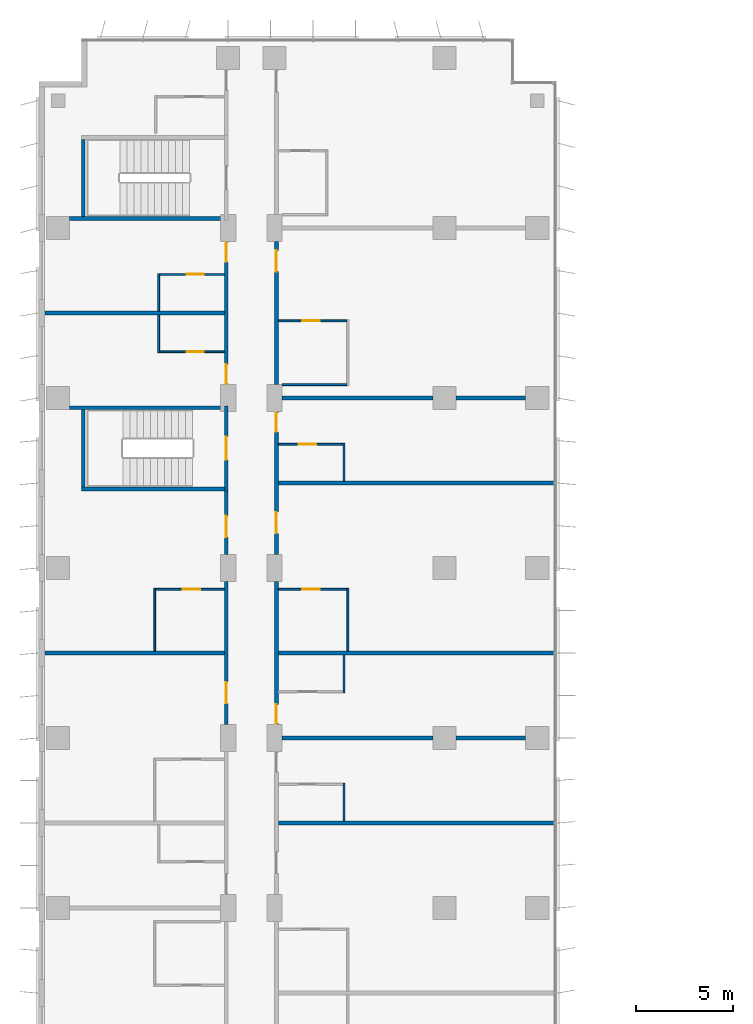
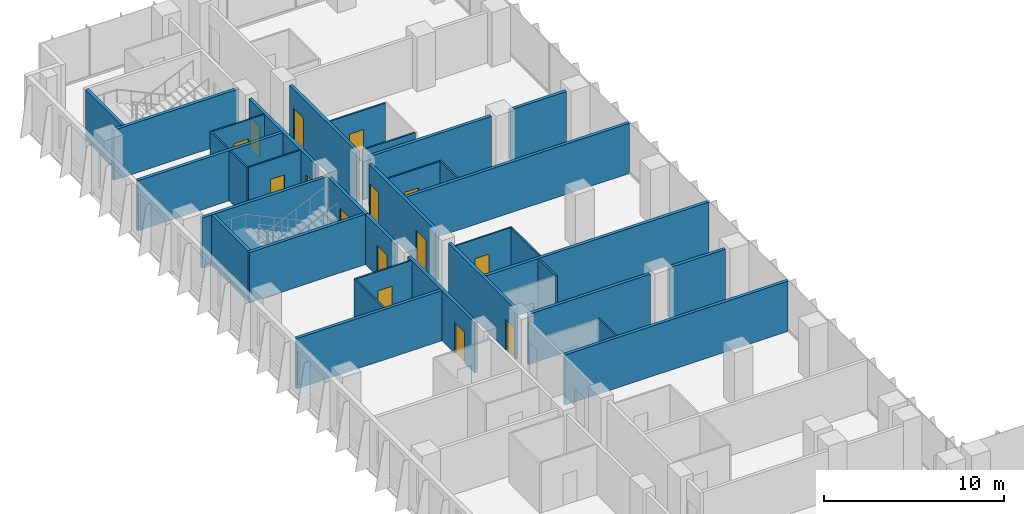
# One storey, part 16 of 22: 35 walls, 15 doors, 15 openings.
"""IFC4 building model written with IfcOpenShell, lengths in metres."""

from ifc_helpers import new_model, si_unit, direction, frame, frame_2d, origin, place, context, subcontext, project, spatial, rectangle, extrude, material, layer, layer_set, type_object, element, fill, save


model = new_model("IFC4")

# Units and contexts
model_context = context("Model", 3, precision=1e-05, world=origin(), true_north=direction((0.0, 1.0)))
body_context = subcontext(model_context, "Body", "Model", "MODEL_VIEW")
ifc_project = project(units=[si_unit("LENGTHUNIT", "METRE"), si_unit("AREAUNIT", "SQUARE_METRE"), si_unit("VOLUMEUNIT", "CUBIC_METRE"), si_unit("PLANEANGLEUNIT", "RADIAN"), si_unit("MASSUNIT", "GRAM", prefix="KILO")], contexts=[model_context])

# Site, building, storey
site_placement = place(None, origin())
site = spatial("IfcSite", under=ifc_project, at=site_placement, CompositionType="ELEMENT")
building_placement = place(site_placement, origin())
building = spatial("IfcBuilding", under=site, at=building_placement, Name="Kemantara Hotel Tower", CompositionType="ELEMENT")
storey_placement = place(building_placement, frame((0.0, 0.0, 111.10009765625)))
storey = spatial("IfcBuildingStorey", under=building, at=storey_placement, Name="L26", CompositionType="ELEMENT", Elevation=111.10009765625)

# Wall, opening, door
ifc_material_1 = material(Name="Gypsum board partition, steel studs and mineral wool, 200 mm", Category="steel")
ifc_layer_1 = layer(ifc_material_1, 0.199951171875)
ifc_layer_set_1 = layer_set([ifc_layer_1], Name="Gypsum board partition, steel studs and mineral wool, 200 mm")
wall_type_1 = type_object("IfcWallType", Name="CORRIDOR WALL 200", PredefinedType="PARTITIONING", material=ifc_layer_set_1)
wall_1_placement = place(storey_placement, frame((9.699951171875, 45.7001953125, 0.0), z_axis=(0.0, 0.0, 1.0), x_axis=(0.0, 1.0, 0.0)))
wall_1 = element("IfcWall", 1, at=wall_1_placement, inside=storey, type_object=wall_type_1, Name="CORRIDOR WALL 200 021", PredefinedType="PARTITIONING", context=body_context, shape_type="SweptSolid", body=[
    extrude(rectangle(XDim=7.399658203125, YDim=0.199951171875, at=frame_2d((3.69970703125, 0.0))), origin(), (0.0, 0.0, 1.0), 3.39990234375),
])
opening_1_placement = place(wall_1_placement, frame((1.099853515625, 0.0, 0.0)))
opening_1 = element("IfcOpeningElement", 2, at=opening_1_placement, cuts=wall_1, Name="Opening F11-027", PredefinedType="OPENING", context=body_context, shape_type="SweptSolid", body=[
    extrude(rectangle(XDim=1.10009765625, YDim=2.10009765625, at=frame_2d((0.550048828125, 1.050048828125))), frame((0.0, 0.10986328125, 0.0), z_axis=(0.0, -1.0, 0.0), x_axis=(1.0, 0.0, 0.0)), (0.0, 0.0, 1.0), 0.219970703125),
])
ifc_material_2 = material(Name="Hardwood veneer door leaf with steel frame", Category="steel")
door_type_1 = type_object("IfcDoorType", Name="SUITE ENTRANCE DOOR 1100 X 2100 FD30S", OperationType="NOTDEFINED", PredefinedType="DOOR", material=ifc_material_2)
door_1_placement = place(opening_1_placement, origin())
door_1 = element("IfcDoor", 3, at=door_1_placement, inside=storey, type_object=door_type_1, Name="SUITE ENTRANCE DOOR F11-027", OperationType="SINGLE_SWING_RIGHT", OverallHeight=2.10009765625, OverallWidth=1.10009765625, PredefinedType="DOOR", context=body_context, shape_type="SweptSolid", body=[
    extrude(rectangle(XDim=1.10009765625, YDim=2.10009765625, at=frame_2d((0.550048828125, 1.050048828125))), frame((0.0, 0.02490234375, 0.0), z_axis=(0.0, -1.0, 0.0), x_axis=(1.0, 0.0, 0.0)), (0.0, 0.0, 1.0), 0.050048828125),
])
fill(opening_1, door_1)

wall_2_placement = place(storey_placement, frame((9.699951171875, 54.5, 0.0), z_axis=(0.0, 0.0, 1.0), x_axis=(0.0, 1.0, 0.0)))
wall_2 = element("IfcWall", 4, at=wall_2_placement, inside=storey, type_object=wall_type_1, Name="CORRIDOR WALL 200 022", PredefinedType="PARTITIONING", context=body_context, shape_type="SweptSolid", body=[
    extrude(rectangle(XDim=3.300048828125, YDim=0.199951171875, at=frame_2d((1.64990234375, 0.0))), origin(), (0.0, 0.0, 1.0), 3.39990234375),
])
opening_2_placement = place(wall_2_placement, frame((0.89990234375, 0.0, 0.0)))
opening_2 = element("IfcOpeningElement", 5, at=opening_2_placement, cuts=wall_2, Name="Opening F11-029", PredefinedType="OPENING", context=body_context, shape_type="SweptSolid", body=[
    extrude(rectangle(XDim=1.10009765625, YDim=2.10009765625, at=frame_2d((0.550048828125, 1.050048828125))), frame((0.0, 0.10986328125, 0.0), z_axis=(0.0, -1.0, 0.0), x_axis=(1.0, 0.0, 0.0)), (0.0, 0.0, 1.0), 0.219970703125),
])
door_2_placement = place(opening_2_placement, origin())
door_2 = element("IfcDoor", 6, at=door_2_placement, inside=storey, type_object=door_type_1, Name="SUITE ENTRANCE DOOR F11-029", OperationType="SINGLE_SWING_RIGHT", OverallHeight=2.10009765625, OverallWidth=1.10009765625, PredefinedType="DOOR", context=body_context, shape_type="SweptSolid", body=[
    extrude(rectangle(XDim=1.10009765625, YDim=2.10009765625, at=frame_2d((0.550048828125, 1.050048828125))), frame((0.0, 0.02490234375, 0.0), z_axis=(0.0, -1.0, 0.0), x_axis=(1.0, 0.0, 0.0)), (0.0, 0.0, 1.0), 0.050048828125),
])
fill(opening_2, door_2)

# Wall, openings, doors
wall_3_placement = place(storey_placement, frame((9.699951171875, 63.300048828125, 0.0), z_axis=(0.0, 0.0, 1.0), x_axis=(0.0, 1.0, 0.0)))
wall_3 = element("IfcWall", 7, at=wall_3_placement, inside=storey, type_object=wall_type_1, Name="CORRIDOR WALL 200 023", PredefinedType="PARTITIONING", context=body_context, shape_type="SweptSolid", body=[
    extrude(rectangle(XDim=7.39990234375, YDim=0.199951171875, at=frame_2d((3.699951171875, 0.0))), origin(), (0.0, 0.0, 1.0), 3.39990234375),
])
opening_3_placement = place(wall_3_placement, frame((0.0498046875, 0.0, 0.0)))
opening_3 = element("IfcOpeningElement", 8, at=opening_3_placement, cuts=wall_3, Name="Opening F11-031", PredefinedType="OPENING", context=body_context, shape_type="SweptSolid", body=[
    extrude(rectangle(XDim=1.0, YDim=2.10009765625, at=frame_2d((0.5, 1.050048828125))), frame((0.0, 0.10986328125, 0.0), z_axis=(0.0, -1.0, 0.0), x_axis=(1.0, 0.0, 0.0)), (0.0, 0.0, 1.0), 0.219970703125),
])
opening_4_placement = place(wall_3_placement, frame((6.349853515625, 0.0, 0.0)))
opening_4 = element("IfcOpeningElement", 9, at=opening_4_placement, cuts=wall_3, Name="Opening F11-033", PredefinedType="OPENING", context=body_context, shape_type="SweptSolid", body=[
    extrude(rectangle(XDim=1.0, YDim=2.10009765625, at=frame_2d((0.5, 1.050048828125))), frame((0.0, 0.10986328125, 0.0), z_axis=(0.0, -1.0, 0.0), x_axis=(1.0, 0.0, 0.0)), (0.0, 0.0, 1.0), 0.219970703125),
])
door_type_2 = type_object("IfcDoorType", Name="GUEST ROOM DOOR 1000 X 2100 FD30S", OperationType="NOTDEFINED", PredefinedType="DOOR", material=ifc_material_2)
door_3_placement = place(opening_3_placement, origin())
door_3 = element("IfcDoor", 10, at=door_3_placement, inside=storey, type_object=door_type_2, Name="GUEST ROOM DOOR F11-031", OperationType="SINGLE_SWING_LEFT", OverallHeight=2.10009765625, OverallWidth=1.0, PredefinedType="DOOR", context=body_context, shape_type="SweptSolid", body=[
    extrude(rectangle(XDim=1.0, YDim=2.10009765625, at=frame_2d((0.5, 1.050048828125))), frame((0.0, 0.02490234375, 0.0), z_axis=(0.0, -1.0, 0.0), x_axis=(1.0, 0.0, 0.0)), (0.0, 0.0, 1.0), 0.050048828125),
])
fill(opening_3, door_3)
door_4_placement = place(opening_4_placement, origin())
door_4 = element("IfcDoor", 11, at=door_4_placement, inside=storey, type_object=door_type_2, Name="GUEST ROOM DOOR F11-033", OperationType="SINGLE_SWING_RIGHT", OverallHeight=2.10009765625, OverallWidth=1.0, PredefinedType="DOOR", context=body_context, shape_type="SweptSolid", body=[
    extrude(rectangle(XDim=1.0, YDim=2.10009765625, at=frame_2d((0.5, 1.050048828125))), frame((0.0, 0.02490234375, 0.0), z_axis=(0.0, -1.0, 0.0), x_axis=(1.0, 0.0, 0.0)), (0.0, 0.0, 1.0), 0.050048828125),
])
fill(opening_4, door_4)

# Wall, opening, door
wall_4_placement = place(storey_placement, frame((12.300048828125, 53.099853515625, 0.0), z_axis=(0.0, 0.0, 1.0), x_axis=(0.0, -1.0, 0.0)))
wall_4 = element("IfcWall", 12, at=wall_4_placement, inside=storey, type_object=wall_type_1, Name="CORRIDOR WALL 200 036", PredefinedType="PARTITIONING", context=body_context, shape_type="SweptSolid", body=[
    extrude(rectangle(XDim=7.399658203125, YDim=0.199951171875, at=frame_2d((3.69970703125, 0.0))), origin(), (0.0, 0.0, 1.0), 3.39990234375),
])
opening_5_placement = place(wall_4_placement, frame((6.349853515625, 0.0, 0.0)))
opening_5 = element("IfcOpeningElement", 13, at=opening_5_placement, cuts=wall_4, Name="Opening F11-043", PredefinedType="OPENING", context=body_context, shape_type="SweptSolid", body=[
    extrude(rectangle(XDim=1.0, YDim=2.10009765625, at=frame_2d((0.5, 1.050048828125))), frame((0.0, 0.10986328125, 0.0), z_axis=(0.0, -1.0, 0.0), x_axis=(1.0, 0.0, 0.0)), (0.0, 0.0, 1.0), 0.219970703125),
])
door_5_placement = place(opening_5_placement, origin())
door_5 = element("IfcDoor", 14, at=door_5_placement, inside=storey, type_object=door_type_2, Name="GUEST ROOM DOOR F11-043", OperationType="SINGLE_SWING_RIGHT", OverallHeight=2.10009765625, OverallWidth=1.0, PredefinedType="DOOR", context=body_context, shape_type="SweptSolid", body=[
    extrude(rectangle(XDim=1.0, YDim=2.10009765625, at=frame_2d((0.5, 1.050048828125))), frame((0.0, 0.02490234375, 0.0), z_axis=(0.0, -1.0, 0.0), x_axis=(1.0, 0.0, 0.0)), (0.0, 0.0, 1.0), 0.050048828125),
])
fill(opening_5, door_5)

# Wall, openings, doors
wall_5_placement = place(storey_placement, frame((12.300048828125, 61.89990234375, 0.0), z_axis=(0.0, 0.0, 1.0), x_axis=(0.0, -1.0, 0.0)))
wall_5 = element("IfcWall", 15, at=wall_5_placement, inside=storey, type_object=wall_type_1, Name="CORRIDOR WALL 200 037", PredefinedType="PARTITIONING", context=body_context, shape_type="SweptSolid", body=[
    extrude(rectangle(XDim=7.39990234375, YDim=0.199951171875, at=frame_2d((3.699951171875, 0.0))), origin(), (0.0, 0.0, 1.0), 3.39990234375),
])
opening_6_placement = place(wall_5_placement, frame((5.199951171875, 0.0, 0.0)))
opening_6 = element("IfcOpeningElement", 16, at=opening_6_placement, cuts=wall_5, Name="Opening F11-045", PredefinedType="OPENING", context=body_context, shape_type="SweptSolid", body=[
    extrude(rectangle(XDim=1.10009765625, YDim=2.10009765625, at=frame_2d((0.550048828125, 1.050048828125))), frame((0.0, 0.10986328125, 0.0), z_axis=(0.0, -1.0, 0.0), x_axis=(1.0, 0.0, 0.0)), (0.0, 0.0, 1.0), 0.219970703125),
])
opening_7_placement = place(wall_5_placement, frame((0.0498046875, 0.0, 0.0)))
opening_7 = element("IfcOpeningElement", 17, at=opening_7_placement, cuts=wall_5, Name="Opening F11-047", PredefinedType="OPENING", context=body_context, shape_type="SweptSolid", body=[
    extrude(rectangle(XDim=1.0, YDim=2.10009765625, at=frame_2d((0.5, 1.050048828125))), frame((0.0, 0.10986328125, 0.0), z_axis=(0.0, -1.0, 0.0), x_axis=(1.0, 0.0, 0.0)), (0.0, 0.0, 1.0), 0.219970703125),
])
door_6_placement = place(opening_7_placement, origin())
door_6 = element("IfcDoor", 18, at=door_6_placement, inside=storey, type_object=door_type_2, Name="GUEST ROOM DOOR F11-047", OperationType="SINGLE_SWING_LEFT", OverallHeight=2.10009765625, OverallWidth=1.0, PredefinedType="DOOR", context=body_context, shape_type="SweptSolid", body=[
    extrude(rectangle(XDim=1.0, YDim=2.10009765625, at=frame_2d((0.5, 1.050048828125))), frame((0.0, 0.02490234375, 0.0), z_axis=(0.0, -1.0, 0.0), x_axis=(1.0, 0.0, 0.0)), (0.0, 0.0, 1.0), 0.050048828125),
])
fill(opening_7, door_6)
door_7_placement = place(opening_6_placement, origin())
door_7 = element("IfcDoor", 19, at=door_7_placement, inside=storey, type_object=door_type_1, Name="SUITE ENTRANCE DOOR F11-045", OperationType="SINGLE_SWING_LEFT", OverallHeight=2.10009765625, OverallWidth=1.10009765625, PredefinedType="DOOR", context=body_context, shape_type="SweptSolid", body=[
    extrude(rectangle(XDim=1.10009765625, YDim=2.10009765625, at=frame_2d((0.550048828125, 1.050048828125))), frame((0.0, 0.02490234375, 0.0), z_axis=(0.0, -1.0, 0.0), x_axis=(1.0, 0.0, 0.0)), (0.0, 0.0, 1.0), 0.050048828125),
])
fill(opening_6, door_7)

# Wall, opening, door
wall_6_placement = place(storey_placement, frame((12.300048828125, 70.699951171875, 0.0), z_axis=(0.0, 0.0, 1.0), x_axis=(0.0, -1.0, 0.0)))
wall_6 = element("IfcWall", 20, at=wall_6_placement, inside=storey, type_object=wall_type_1, Name="CORRIDOR WALL 200 038", PredefinedType="PARTITIONING", context=body_context, shape_type="SweptSolid", body=[
    extrude(rectangle(XDim=7.39990234375, YDim=0.199951171875, at=frame_2d((3.699951171875, 0.0))), origin(), (0.0, 0.0, 1.0), 3.39990234375),
])
opening_8_placement = place(wall_6_placement, frame((0.449951171875, 0.0, 0.0)))
opening_8 = element("IfcOpeningElement", 21, at=opening_8_placement, cuts=wall_6, Name="Opening F11-049", PredefinedType="OPENING", context=body_context, shape_type="SweptSolid", body=[
    extrude(rectangle(XDim=1.10009765625, YDim=2.10009765625, at=frame_2d((0.550048828125, 1.050048828125))), frame((0.0, 0.10986328125, 0.0), z_axis=(0.0, -1.0, 0.0), x_axis=(1.0, 0.0, 0.0)), (0.0, 0.0, 1.0), 0.219970703125),
])
door_8_placement = place(opening_8_placement, origin())
door_8 = element("IfcDoor", 22, at=door_8_placement, inside=storey, type_object=door_type_1, Name="SUITE ENTRANCE DOOR F11-049", OperationType="SINGLE_SWING_LEFT", OverallHeight=2.10009765625, OverallWidth=1.10009765625, PredefinedType="DOOR", context=body_context, shape_type="SweptSolid", body=[
    extrude(rectangle(XDim=1.10009765625, YDim=2.10009765625, at=frame_2d((0.550048828125, 1.050048828125))), frame((0.0, 0.02490234375, 0.0), z_axis=(0.0, -1.0, 0.0), x_axis=(1.0, 0.0, 0.0)), (0.0, 0.0, 1.0), 0.050048828125),
])
fill(opening_8, door_8)

ifc_material_3 = material(Name="Concrete fc 40 MPa", Category="concrete")
ifc_layer_2 = layer(ifc_material_3, 0.199951171875)
ifc_layer_set_2 = layer_set([ifc_layer_2], Name="Concrete fc 40 MPa")
wall_type_2 = type_object("IfcWallType", Name="Concrete stair wall 200 mm", PredefinedType="SHEAR", material=ifc_layer_set_2)
wall_7_placement = place(storey_placement, frame((9.699951171875, 57.800048828125, 0.0), z_axis=(0.0, 0.0, 1.0), x_axis=(0.0, 1.0, 0.0)))
wall_7 = element("IfcWall", 23, at=wall_7_placement, inside=storey, type_object=wall_type_2, Name="Stair ST4 enclosure wall with door", PredefinedType="SHEAR", context=body_context, shape_type="SweptSolid", body=[
    extrude(rectangle(XDim=4.39990234375, YDim=0.199951171875, at=frame_2d((2.199951171875, 0.0))), origin(), (0.0, 0.0, 1.0), 3.39990234375),
])
opening_9_placement = place(wall_7_placement, frame((1.60009765625, 0.0, 0.0)))
opening_9 = element("IfcOpeningElement", 24, at=opening_9_placement, cuts=wall_7, Name="Opening ST4-C", PredefinedType="OPENING", context=body_context, shape_type="SweptSolid", body=[
    extrude(rectangle(XDim=1.199951171875, YDim=2.10009765625, at=frame_2d((0.60009765625, 1.050048828125))), frame((0.0, 0.10986328125, 0.0), z_axis=(0.0, -1.0, 0.0), x_axis=(1.0, 0.0, 0.0)), (0.0, 0.0, 1.0), 0.219970703125),
])
ifc_material_4 = material(Name="Steel fire door", Category="steel")
door_type_3 = type_object("IfcDoorType", Name="Fire door FD90 1200 x 2100", OperationType="NOTDEFINED", PredefinedType="DOOR", material=ifc_material_4)
door_9_placement = place(opening_9_placement, origin())
door_9 = element("IfcDoor", 25, at=door_9_placement, inside=storey, type_object=door_type_3, Name="Stair ST4 door", OperationType="SINGLE_SWING_RIGHT", OverallHeight=2.10009765625, OverallWidth=1.199951171875, PredefinedType="DOOR", context=body_context, shape_type="SweptSolid", body=[
    extrude(rectangle(XDim=1.199951171875, YDim=2.10009765625, at=frame_2d((0.60009765625, 1.050048828125))), frame((0.0, 0.02490234375, 0.0), z_axis=(0.0, -1.0, 0.0), x_axis=(1.0, 0.0, 0.0)), (0.0, 0.0, 1.0), 0.050048828125),
])
fill(opening_9, door_9)

# Walls
wall_8_placement = place(storey_placement, frame((1.60009765625, 62.10009765625, 0.0), z_axis=(0.0, 0.0, 1.0), x_axis=(1.0, 0.0, 0.0)))
element("IfcWall", 26, at=wall_8_placement, inside=storey, type_object=wall_type_2, Name="Stair ST4 enclosure wall N", PredefinedType="SHEAR", context=body_context, shape_type="SweptSolid", body=[
    extrude(rectangle(XDim=8.0, YDim=0.199951171875, at=frame_2d((4.0, 0.0))), origin(), (0.0, 0.0, 1.0), 3.39990234375),
])
wall_9_placement = place(storey_placement, frame((2.199951171875, 57.89990234375, 0.0), z_axis=(0.0, 0.0, 1.0), x_axis=(1.0, 0.0, 0.0)))
element("IfcWall", 27, at=wall_9_placement, inside=storey, type_object=wall_type_2, Name="Stair ST4 enclosure wall S", PredefinedType="SHEAR", context=body_context, shape_type="SweptSolid", body=[
    extrude(rectangle(XDim=7.400146484375, YDim=0.199951171875, at=frame_2d((3.7001953125, 0.0))), origin(), (0.0, 0.0, 1.0), 3.39990234375),
])
wall_10_placement = place(storey_placement, frame((2.300048828125, 58.0, 0.0), z_axis=(0.0, 0.0, 1.0), x_axis=(0.0, 1.0, 0.0)))
element("IfcWall", 28, at=wall_10_placement, inside=storey, type_object=wall_type_2, Name="Stair ST4 enclosure wall W", PredefinedType="SHEAR", context=body_context, shape_type="SweptSolid", body=[
    extrude(rectangle(XDim=4.0, YDim=0.199951171875, at=frame_2d((2.0, 0.0))), origin(), (0.0, 0.0, 1.0), 3.39990234375),
])
wall_11_placement = place(storey_placement, frame((1.60009765625, 71.89990234375, 0.0), z_axis=(0.0, 0.0, 1.0), x_axis=(1.0, 0.0, 0.0)))
element("IfcWall", 29, at=wall_11_placement, inside=storey, type_object=wall_type_2, Name="Stair ST6 enclosure wall S", PredefinedType="SHEAR", context=body_context, shape_type="SweptSolid", body=[
    extrude(rectangle(XDim=8.0, YDim=0.199951171875, at=frame_2d((4.0, 0.0))), origin(), (0.0, 0.0, 1.0), 3.39990234375),
])
wall_12_placement = place(storey_placement, frame((2.300048828125, 72.0, 0.0), z_axis=(0.0, 0.0, 1.0), x_axis=(0.0, 1.0, 0.0)))
element("IfcWall", 30, at=wall_12_placement, inside=storey, type_object=wall_type_2, Name="Stair ST6 enclosure wall W", PredefinedType="SHEAR", context=body_context, shape_type="SweptSolid", body=[
    extrude(rectangle(XDim=4.0, YDim=0.199951171875, at=frame_2d((2.0, 0.0))), origin(), (0.0, 0.0, 1.0), 3.39990234375),
])
ifc_layer_3 = layer(ifc_material_1, 0.199951171875)
ifc_layer_set_3 = layer_set([ifc_layer_3], Name="Gypsum board partition, steel studs and mineral wool, 200 mm")
wall_type_3 = type_object("IfcWallType", Name="GUEST ROOM PARTY WALL 200", PredefinedType="PARTITIONING", material=ifc_layer_set_3)
wall_13_placement = place(storey_placement, frame((12.39990234375, 40.60009765625, 0.0), z_axis=(0.0, 0.0, 1.0), x_axis=(1.0, 0.0, 0.0)))
element("IfcWall", 31, at=wall_13_placement, inside=storey, type_object=wall_type_3, Name="GUEST ROOM PARTY WALL 200 029", PredefinedType="PARTITIONING", context=body_context, shape_type="SweptSolid", body=[
    extrude(rectangle(XDim=14.27001953125, YDim=0.199951171875, at=frame_2d((7.135009765625, 0.0))), origin(), (0.0, 0.0, 1.0), 3.39990234375),
])
wall_14_placement = place(storey_placement, frame((0.31005859375, 49.39990234375, 0.0), z_axis=(0.0, 0.0, 1.0), x_axis=(1.0, 0.0, 0.0)))
element("IfcWall", 32, at=wall_14_placement, inside=storey, type_object=wall_type_3, Name="GUEST ROOM PARTY WALL 200 030", PredefinedType="PARTITIONING", context=body_context, shape_type="SweptSolid", body=[
    extrude(rectangle(XDim=9.2900390625, YDim=0.199951171875, at=frame_2d((4.64501953125, 0.0))), origin(), (0.0, 0.0, 1.0), 3.39990234375),
])
wall_15_placement = place(storey_placement, frame((12.39990234375, 49.39990234375, 0.0), z_axis=(0.0, 0.0, 1.0), x_axis=(1.0, 0.0, 0.0)))
element("IfcWall", 33, at=wall_15_placement, inside=storey, type_object=wall_type_3, Name="GUEST ROOM PARTY WALL 200 031", PredefinedType="PARTITIONING", context=body_context, shape_type="SweptSolid", body=[
    extrude(rectangle(XDim=14.27001953125, YDim=0.199951171875, at=frame_2d((7.135009765625, 0.0))), origin(), (0.0, 0.0, 1.0), 3.39990234375),
])
wall_16_placement = place(storey_placement, frame((0.31005859375, 67.0, 0.0), z_axis=(0.0, 0.0, 1.0), x_axis=(1.0, 0.0, 0.0)))
element("IfcWall", 34, at=wall_16_placement, inside=storey, type_object=wall_type_3, Name="GUEST ROOM PARTY WALL 200 032", PredefinedType="PARTITIONING", context=body_context, shape_type="SweptSolid", body=[
    extrude(rectangle(XDim=9.2900390625, YDim=0.199951171875, at=frame_2d((4.64501953125, 0.0))), origin(), (0.0, 0.0, 1.0), 3.39990234375),
])
wall_17_placement = place(storey_placement, frame((12.60009765625, 45.0, 0.0), z_axis=(0.0, 0.0, 1.0), x_axis=(1.0, 0.0, 0.0)))
element("IfcWall", 35, at=wall_17_placement, inside=storey, type_object=wall_type_3, Name="GUEST ROOM PARTY WALL 200 043", PredefinedType="PARTITIONING", context=body_context, shape_type="SweptSolid", body=[
    extrude(rectangle(XDim=7.7998046875, YDim=0.199951171875, at=frame_2d((3.89990234375, 0.0))), origin(), (0.0, 0.0, 1.0), 3.39990234375),
])
wall_18_placement = place(storey_placement, frame((21.60009765625, 45.0, 0.0), z_axis=(0.0, 0.0, 1.0), x_axis=(1.0, 0.0, 0.0)))
element("IfcWall", 36, at=wall_18_placement, inside=storey, type_object=wall_type_3, Name="GUEST ROOM PARTY WALL 200 044", PredefinedType="PARTITIONING", context=body_context, shape_type="SweptSolid", body=[
    extrude(rectangle(XDim=3.599853515625, YDim=0.199951171875, at=frame_2d((1.7998046875, 0.0))), origin(), (0.0, 0.0, 1.0), 3.39990234375),
])
wall_19_placement = place(storey_placement, frame((12.39990234375, 58.199951171875, 0.0), z_axis=(0.0, 0.0, 1.0), x_axis=(1.0, 0.0, 0.0)))
element("IfcWall", 37, at=wall_19_placement, inside=storey, type_object=wall_type_3, Name="GUEST ROOM PARTY WALL 200 045", PredefinedType="PARTITIONING", context=body_context, shape_type="SweptSolid", body=[
    extrude(rectangle(XDim=14.27001953125, YDim=0.199951171875, at=frame_2d((7.135009765625, 0.0))), origin(), (0.0, 0.0, 1.0), 3.39990234375),
])
wall_20_placement = place(storey_placement, frame((12.60009765625, 62.60009765625, 0.0), z_axis=(0.0, 0.0, 1.0), x_axis=(1.0, 0.0, 0.0)))
element("IfcWall", 38, at=wall_20_placement, inside=storey, type_object=wall_type_3, Name="GUEST ROOM PARTY WALL 200 046", PredefinedType="PARTITIONING", context=body_context, shape_type="SweptSolid", body=[
    extrude(rectangle(XDim=7.7998046875, YDim=0.199951171875, at=frame_2d((3.89990234375, 0.0))), origin(), (0.0, 0.0, 1.0), 3.39990234375),
])
wall_21_placement = place(storey_placement, frame((21.60009765625, 62.60009765625, 0.0), z_axis=(0.0, 0.0, 1.0), x_axis=(1.0, 0.0, 0.0)))
element("IfcWall", 39, at=wall_21_placement, inside=storey, type_object=wall_type_3, Name="GUEST ROOM PARTY WALL 200 047", PredefinedType="PARTITIONING", context=body_context, shape_type="SweptSolid", body=[
    extrude(rectangle(XDim=3.599853515625, YDim=0.199951171875, at=frame_2d((1.7998046875, 0.0))), origin(), (0.0, 0.0, 1.0), 3.39990234375),
])
ifc_material_5 = material(Name="Gypsum board partition on steel studs, 100 mm", Category="steel")
ifc_layer_4 = layer(ifc_material_5, 0.10009765625)
ifc_layer_set_4 = layer_set([ifc_layer_4], Name="Gypsum board partition on steel studs, 100 mm")
wall_type_4 = type_object("IfcWallType", Name="ROOM PARTITION 100", PredefinedType="PARTITIONING", material=ifc_layer_set_4)
for number, where, z_axis, x_axis, name in (
    (40, (6.199951171875, 64.949951171875, 0.0), (0.0, 0.0, 1.0), (0.0, 1.0, 0.0), "ROOM PARTITION 100 073"),
    (41, (6.199951171875, 67.10009765625, 0.0), (0.0, 0.0, 1.0), (0.0, 1.0, 0.0), "ROOM PARTITION 100 074"),
):
    element("IfcWall", number, at=place(storey_placement, frame(where, z_axis=z_axis, x_axis=x_axis)), inside=storey, type_object=wall_type_4, Name=name, PredefinedType="PARTITIONING", context=body_context, shape_type="SweptSolid", body=[
        extrude(rectangle(XDim=1.949951171875, YDim=0.10009765625, at=frame_2d((0.97509765625, 0.0))), origin(), (0.0, 0.0, 1.0), 3.39990234375),
    ])
wall_22_placement = place(storey_placement, frame((6.0, 49.5, 0.0), z_axis=(0.0, 0.0, 1.0), x_axis=(0.0, 1.0, 0.0)))
element("IfcWall", 42, at=wall_22_placement, inside=storey, type_object=wall_type_4, Name="ROOM PARTITION 100 078", PredefinedType="PARTITIONING", context=body_context, shape_type="SweptSolid", body=[
    extrude(rectangle(XDim=3.25, YDim=0.10009765625, at=frame_2d((1.625, 0.0))), origin(), (0.0, 0.0, 1.0), 3.39990234375),
])

# Wall, opening, door
wall_23_placement = place(storey_placement, frame((9.60009765625, 52.699951171875, 0.0), z_axis=(0.0, 0.0, 1.0), x_axis=(-1.0, 0.0, 0.0)))
wall_23 = element("IfcWall", 43, at=wall_23_placement, inside=storey, type_object=wall_type_4, Name="ROOM PARTITION 100 083", PredefinedType="PARTITIONING", context=body_context, shape_type="SweptSolid", body=[
    extrude(rectangle(XDim=3.550048828125, YDim=0.10009765625, at=frame_2d((1.77490234375, 0.0))), origin(), (0.0, 0.0, 1.0), 3.39990234375),
])
opening_10_placement = place(wall_23_placement, frame((1.25, 0.0, 0.0)))
opening_10 = element("IfcOpeningElement", 44, at=opening_10_placement, cuts=wall_23, Name="Opening F11-030", PredefinedType="OPENING", context=body_context, shape_type="SweptSolid", body=[
    extrude(rectangle(XDim=0.89990234375, YDim=2.10009765625, at=frame_2d((0.449951171875, 1.050048828125))), frame((0.0, 0.06005859375, 0.0), z_axis=(0.0, -1.0, 0.0), x_axis=(1.0, 0.0, 0.0)), (0.0, 0.0, 1.0), 0.1201171875),
])
door_type_4 = type_object("IfcDoorType", Name="BATHROOM DOOR 900 X 2100", OperationType="NOTDEFINED", PredefinedType="DOOR", material=ifc_material_2)
door_10_placement = place(opening_10_placement, origin())
door_10 = element("IfcDoor", 45, at=door_10_placement, inside=storey, type_object=door_type_4, Name="BATHROOM DOOR F11-030", OperationType="SINGLE_SWING_LEFT", OverallHeight=2.10009765625, OverallWidth=0.89990234375, PredefinedType="DOOR", context=body_context, shape_type="SweptSolid", body=[
    extrude(rectangle(XDim=0.89990234375, YDim=2.10009765625, at=frame_2d((0.449951171875, 1.050048828125))), frame((0.0, 0.02490234375, 0.0), z_axis=(0.0, -1.0, 0.0), x_axis=(1.0, 0.0, 0.0)), (0.0, 0.0, 1.0), 0.050048828125),
])
fill(opening_10, door_10)

wall_24_placement = place(storey_placement, frame((15.949951171875, 52.699951171875, 0.0), z_axis=(0.0, 0.0, 1.0), x_axis=(-1.0, 0.0, 0.0)))
wall_24 = element("IfcWall", 46, at=wall_24_placement, inside=storey, type_object=wall_type_4, Name="ROOM PARTITION 100 084", PredefinedType="PARTITIONING", context=body_context, shape_type="SweptSolid", body=[
    extrude(rectangle(XDim=3.550048828125, YDim=0.10009765625, at=frame_2d((1.77490234375, 0.0))), origin(), (0.0, 0.0, 1.0), 3.39990234375),
])
opening_11_placement = place(wall_24_placement, frame((1.39990234375, 0.0, 0.0)))
opening_11 = element("IfcOpeningElement", 47, at=opening_11_placement, cuts=wall_24, Name="Opening F11-046", PredefinedType="OPENING", context=body_context, shape_type="SweptSolid", body=[
    extrude(rectangle(XDim=0.89990234375, YDim=2.10009765625, at=frame_2d((0.449951171875, 1.050048828125))), frame((0.0, 0.06005859375, 0.0), z_axis=(0.0, -1.0, 0.0), x_axis=(1.0, 0.0, 0.0)), (0.0, 0.0, 1.0), 0.1201171875),
])
door_11_placement = place(opening_11_placement, origin())
door_11 = element("IfcDoor", 48, at=door_11_placement, inside=storey, type_object=door_type_4, Name="BATHROOM DOOR F11-046", OperationType="SINGLE_SWING_RIGHT", OverallHeight=2.10009765625, OverallWidth=0.89990234375, PredefinedType="DOOR", context=body_context, shape_type="SweptSolid", body=[
    extrude(rectangle(XDim=0.89990234375, YDim=2.10009765625, at=frame_2d((0.449951171875, 1.050048828125))), frame((0.0, 0.02490234375, 0.0), z_axis=(0.0, -1.0, 0.0), x_axis=(1.0, 0.0, 0.0)), (0.0, 0.0, 1.0), 0.050048828125),
])
fill(opening_11, door_11)

wall_25_placement = place(storey_placement, frame((6.25, 65.0, 0.0), z_axis=(0.0, 0.0, 1.0), x_axis=(1.0, 0.0, 0.0)))
wall_25 = element("IfcWall", 49, at=wall_25_placement, inside=storey, type_object=wall_type_4, Name="ROOM PARTITION 100 085", PredefinedType="PARTITIONING", context=body_context, shape_type="SweptSolid", body=[
    extrude(rectangle(XDim=3.35009765625, YDim=0.10009765625, at=frame_2d((1.675048828125, 0.0))), origin(), (0.0, 0.0, 1.0), 3.39990234375),
])
opening_12_placement = place(wall_25_placement, frame((1.39990234375, 0.0, 0.0)))
opening_12 = element("IfcOpeningElement", 50, at=opening_12_placement, cuts=wall_25, Name="Opening F11-032", PredefinedType="OPENING", context=body_context, shape_type="SweptSolid", body=[
    extrude(rectangle(XDim=0.89990234375, YDim=2.10009765625, at=frame_2d((0.449951171875, 1.050048828125))), frame((0.0, 0.06005859375, 0.0), z_axis=(0.0, -1.0, 0.0), x_axis=(1.0, 0.0, 0.0)), (0.0, 0.0, 1.0), 0.1201171875),
])
door_12_placement = place(opening_12_placement, origin())
door_12 = element("IfcDoor", 51, at=door_12_placement, inside=storey, type_object=door_type_4, Name="BATHROOM DOOR F11-032", OperationType="SINGLE_SWING_RIGHT", OverallHeight=2.10009765625, OverallWidth=0.89990234375, PredefinedType="DOOR", context=body_context, shape_type="SweptSolid", body=[
    extrude(rectangle(XDim=0.89990234375, YDim=2.10009765625, at=frame_2d((0.449951171875, 1.050048828125))), frame((0.0, 0.02490234375, 0.0), z_axis=(0.0, -1.0, 0.0), x_axis=(1.0, 0.0, 0.0)), (0.0, 0.0, 1.0), 0.050048828125),
])
fill(opening_12, door_12)

wall_26_placement = place(storey_placement, frame((9.60009765625, 69.0, 0.0), z_axis=(0.0, 0.0, 1.0), x_axis=(-1.0, 0.0, 0.0)))
wall_26 = element("IfcWall", 52, at=wall_26_placement, inside=storey, type_object=wall_type_4, Name="ROOM PARTITION 100 086", PredefinedType="PARTITIONING", context=body_context, shape_type="SweptSolid", body=[
    extrude(rectangle(XDim=3.35009765625, YDim=0.10009765625, at=frame_2d((1.675048828125, 0.0))), origin(), (0.0, 0.0, 1.0), 3.39990234375),
])
opening_13_placement = place(wall_26_placement, frame((1.050048828125, 0.0, 0.0)))
opening_13 = element("IfcOpeningElement", 53, at=opening_13_placement, cuts=wall_26, Name="Opening F11-034", PredefinedType="OPENING", context=body_context, shape_type="SweptSolid", body=[
    extrude(rectangle(XDim=0.89990234375, YDim=2.10009765625, at=frame_2d((0.449951171875, 1.050048828125))), frame((0.0, 0.06005859375, 0.0), z_axis=(0.0, -1.0, 0.0), x_axis=(1.0, 0.0, 0.0)), (0.0, 0.0, 1.0), 0.1201171875),
])
door_13_placement = place(opening_13_placement, origin())
door_13 = element("IfcDoor", 54, at=door_13_placement, inside=storey, type_object=door_type_4, Name="BATHROOM DOOR F11-034", OperationType="SINGLE_SWING_LEFT", OverallHeight=2.10009765625, OverallWidth=0.89990234375, PredefinedType="DOOR", context=body_context, shape_type="SweptSolid", body=[
    extrude(rectangle(XDim=0.89990234375, YDim=2.10009765625, at=frame_2d((0.449951171875, 1.050048828125))), frame((0.0, 0.02490234375, 0.0), z_axis=(0.0, -1.0, 0.0), x_axis=(1.0, 0.0, 0.0)), (0.0, 0.0, 1.0), 0.050048828125),
])
fill(opening_13, door_13)

# Walls
wall_27_placement = place(storey_placement, frame((16.0, 49.5, 0.0), z_axis=(0.0, 0.0, 1.0), x_axis=(0.0, 1.0, 0.0)))
element("IfcWall", 55, at=wall_27_placement, inside=storey, type_object=wall_type_4, Name="ROOM PARTITION 100 090", PredefinedType="PARTITIONING", context=body_context, shape_type="SweptSolid", body=[
    extrude(rectangle(XDim=3.25, YDim=0.10009765625, at=frame_2d((1.625, 0.0))), origin(), (0.0, 0.0, 1.0), 3.39990234375),
])
for number, where, z_axis, x_axis, name in (
    (56, (15.800048828125, 40.699951171875, 0.0), (0.0, 0.0, 1.0), (0.0, 1.0, 0.0), "ROOM PARTITION 100 094"),
    (57, (15.800048828125, 47.35009765625, 0.0), (0.0, 0.0, 1.0), (0.0, 1.0, 0.0), "ROOM PARTITION 100 095"),
    (58, (15.800048828125, 58.300048828125, 0.0), (0.0, 0.0, 1.0), (0.0, 1.0, 0.0), "ROOM PARTITION 100 096"),
):
    element("IfcWall", number, at=place(storey_placement, frame(where, z_axis=z_axis, x_axis=x_axis)), inside=storey, type_object=wall_type_4, Name=name, PredefinedType="PARTITIONING", context=body_context, shape_type="SweptSolid", body=[
        extrude(rectangle(XDim=1.949951171875, YDim=0.10009765625, at=frame_2d((0.97509765625, 0.0))), origin(), (0.0, 0.0, 1.0), 3.39990234375),
    ])

# Wall, opening, door
wall_28_placement = place(storey_placement, frame((15.75, 60.199951171875, 0.0), z_axis=(0.0, 0.0, 1.0), x_axis=(-1.0, 0.0, 0.0)))
wall_28 = element("IfcWall", 59, at=wall_28_placement, inside=storey, type_object=wall_type_4, Name="ROOM PARTITION 100 099", PredefinedType="PARTITIONING", context=body_context, shape_type="SweptSolid", body=[
    extrude(rectangle(XDim=3.35009765625, YDim=0.10009765625, at=frame_2d((1.675048828125, 0.0))), origin(), (0.0, 0.0, 1.0), 3.39990234375),
])
opening_14_placement = place(wall_28_placement, frame((1.39990234375, 0.0, 0.0)))
opening_14 = element("IfcOpeningElement", 60, at=opening_14_placement, cuts=wall_28, Name="Opening F11-048", PredefinedType="OPENING", context=body_context, shape_type="SweptSolid", body=[
    extrude(rectangle(XDim=0.89990234375, YDim=2.10009765625, at=frame_2d((0.449951171875, 1.050048828125))), frame((0.0, 0.06005859375, 0.0), z_axis=(0.0, -1.0, 0.0), x_axis=(1.0, 0.0, 0.0)), (0.0, 0.0, 1.0), 0.1201171875),
])
door_14_placement = place(opening_14_placement, origin())
door_14 = element("IfcDoor", 61, at=door_14_placement, inside=storey, type_object=door_type_4, Name="BATHROOM DOOR F11-048", OperationType="SINGLE_SWING_RIGHT", OverallHeight=2.10009765625, OverallWidth=0.89990234375, PredefinedType="DOOR", context=body_context, shape_type="SweptSolid", body=[
    extrude(rectangle(XDim=0.89990234375, YDim=2.10009765625, at=frame_2d((0.449951171875, 1.050048828125))), frame((0.0, 0.02490234375, 0.0), z_axis=(0.0, -1.0, 0.0), x_axis=(1.0, 0.0, 0.0)), (0.0, 0.0, 1.0), 0.050048828125),
])
fill(opening_14, door_14)

# Wall
wall_29_placement = place(storey_placement, frame((12.60009765625, 63.300048828125, 0.0), z_axis=(0.0, 0.0, 1.0), x_axis=(1.0, 0.0, 0.0)))
element("IfcWall", 62, at=wall_29_placement, inside=storey, type_object=wall_type_4, Name="ROOM PARTITION 100 100", PredefinedType="PARTITIONING", context=body_context, shape_type="SweptSolid", body=[
    extrude(rectangle(XDim=3.349853515625, YDim=0.10009765625, at=frame_2d((1.6748046875, 0.0))), origin(), (0.0, 0.0, 1.0), 3.39990234375),
])

# Wall, opening, door
wall_30_placement = place(storey_placement, frame((15.949951171875, 66.60009765625, 0.0), z_axis=(0.0, 0.0, 1.0), x_axis=(-1.0, 0.0, 0.0)))
wall_30 = element("IfcWall", 63, at=wall_30_placement, inside=storey, type_object=wall_type_4, Name="ROOM PARTITION 100 101", PredefinedType="PARTITIONING", context=body_context, shape_type="SweptSolid", body=[
    extrude(rectangle(XDim=3.550048828125, YDim=0.10009765625, at=frame_2d((1.77490234375, 0.0))), origin(), (0.0, 0.0, 1.0), 3.39990234375),
])
opening_15_placement = place(wall_30_placement, frame((1.39990234375, 0.0, 0.0)))
opening_15 = element("IfcOpeningElement", 64, at=opening_15_placement, cuts=wall_30, Name="Opening F11-050", PredefinedType="OPENING", context=body_context, shape_type="SweptSolid", body=[
    extrude(rectangle(XDim=0.89990234375, YDim=2.10009765625, at=frame_2d((0.449951171875, 1.050048828125))), frame((0.0, 0.06005859375, 0.0), z_axis=(0.0, -1.0, 0.0), x_axis=(1.0, 0.0, 0.0)), (0.0, 0.0, 1.0), 0.1201171875),
])
door_15_placement = place(opening_15_placement, origin())
door_15 = element("IfcDoor", 65, at=door_15_placement, inside=storey, type_object=door_type_4, Name="BATHROOM DOOR F11-050", OperationType="SINGLE_SWING_RIGHT", OverallHeight=2.10009765625, OverallWidth=0.89990234375, PredefinedType="DOOR", context=body_context, shape_type="SweptSolid", body=[
    extrude(rectangle(XDim=0.89990234375, YDim=2.10009765625, at=frame_2d((0.449951171875, 1.050048828125))), frame((0.0, 0.02490234375, 0.0), z_axis=(0.0, -1.0, 0.0), x_axis=(1.0, 0.0, 0.0)), (0.0, 0.0, 1.0), 0.050048828125),
])
fill(opening_15, door_15)

save(model, "model.ifc")
